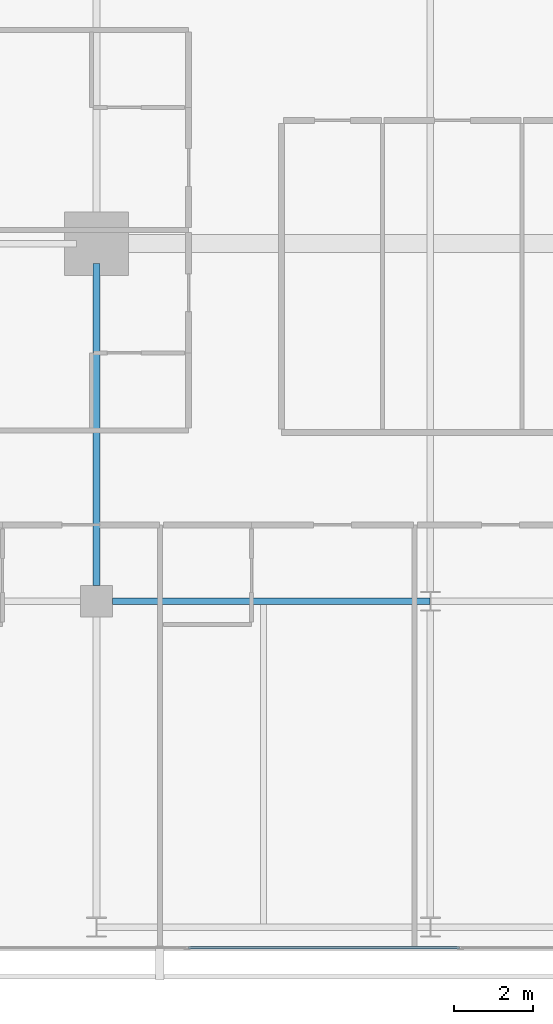
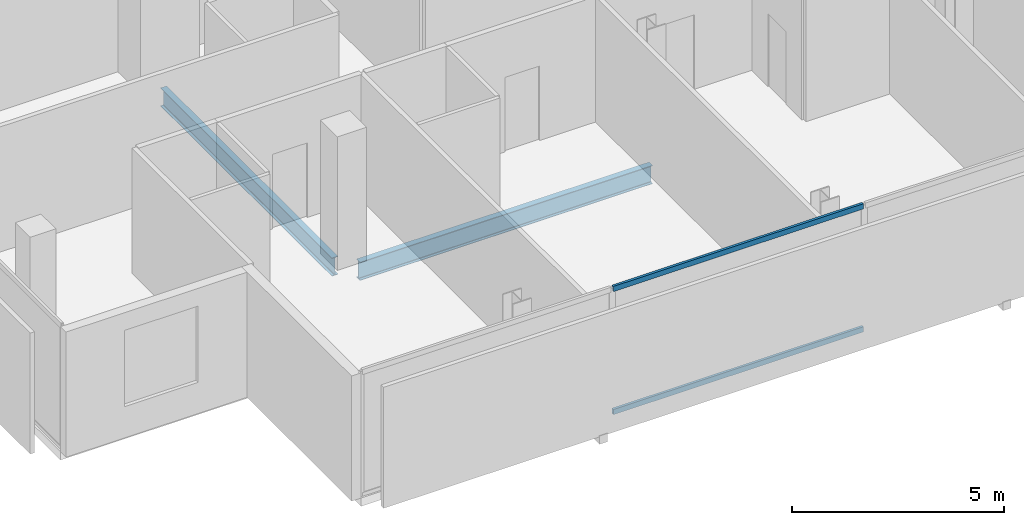
# One storey, part 5 of 26: 2 beams, 2 members, 1 element without a shape of its own.
"""IFC4 building model written with IfcOpenShell, lengths in metres."""

from ifc_helpers import new_model, si_unit, direction, frame, origin, origin_2d, place, context, subcontext, project, spatial, hollow_rectangle, i_section, extrude, material, layer, layer_set, material_profile, profile_set, type_object, element, aggregate, save


model = new_model("IFC4")

# Units and contexts
model_context = context("Model", 3, precision=1e-05, world=origin(), true_north=direction((0.0, 1.0)))
body_context = subcontext(model_context, "Body", "Model", "MODEL_VIEW")
ifc_project = project(units=[si_unit("LENGTHUNIT", "METRE"), si_unit("AREAUNIT", "SQUARE_METRE"), si_unit("VOLUMEUNIT", "CUBIC_METRE"), si_unit("PLANEANGLEUNIT", "RADIAN"), si_unit("MASSUNIT", "GRAM", prefix="KILO")], contexts=[model_context])

# Site, building, storey
site_placement = place(None, origin())
site = spatial("IfcSite", under=ifc_project, at=site_placement, CompositionType="ELEMENT")
building_placement = place(site_placement, origin())
building = spatial("IfcBuilding", under=site, at=building_placement, Name="Maruvema Waterfront Hotel and Observation Tower", CompositionType="ELEMENT")
storey_placement = place(building_placement, frame((0.0, 0.0, 293.300048828125)))
storey = spatial("IfcBuildingStorey", under=building, at=storey_placement, Name="L72", CompositionType="ELEMENT", Elevation=293.300048828125)

# Curtain wall, members
ifc_material_1 = material(Name="Anodised bronze aluminium and solar-control low-E IGU", Category="aluminium")
ifc_layer = layer(ifc_material_1, 0.159912109375, Name="Zone 3 Champagne Inner Thermal Curtain Wall System CW-04")
ifc_layer_set = layer_set([ifc_layer], Name="Anodised bronze aluminium and solar-control low-E IGU")
curtain_wall_type = type_object("IfcCurtainWallType", Name="Zone 3 Champagne Inner Thermal Curtain Wall System CW-04", PredefinedType="USERDEFINED", material=ifc_layer_set)
curtain_wall_placement = place(storey_placement, origin())
curtain_wall = element("IfcCurtainWall", 1, at=curtain_wall_placement, inside=storey, type_object=curtain_wall_type, Name="L72 Curtain Wall CW-L72-S", ObjectType="UNITISED CURTAIN WALL", PredefinedType="USERDEFINED")
ifc_material_2 = material(Name="Anodised architectural bronze aluminium", Category="aluminium")
ifc_material_profile_1 = material_profile(ifc_material_2, hollow_rectangle(XDim=0.070068359375, YDim=0.14990234375, WallThickness=0.00390625, at=origin_2d()), Name="ALU-T70x150")
ifc_profile_set_1 = profile_set([ifc_material_profile_1], Name="Anodised architectural bronze aluminium")
member_type = type_object("IfcMemberType", Name="Curtain Wall Horizontal Transom ALU-T70x150", PredefinedType="USERDEFINED", material=ifc_profile_set_1)
member_1_placement = place(storey_placement, frame((27.510009765625, 9.280029296875, 0.030029296875), z_axis=(1.0, 0.0, 0.0), x_axis=(0.0, 1.0, 0.0)))
member_1 = element("IfcMember", 2, at=member_1_placement, type_object=member_type, Name="CW-04 transom 2.1", ObjectType="TRANSOM", PredefinedType="USERDEFINED", context=body_context, shape_type="SweptSolid", body=[
    extrude(hollow_rectangle(XDim=0.070068359375, YDim=0.14990234375, WallThickness=0.00390625, at=origin_2d()), origin(), (0.0, 0.0, 1.0), 6.820068359375),
])
member_2_placement = place(storey_placement, frame((27.510009765625, 9.280029296875, 3.579833984375), z_axis=(1.0, 0.0, 0.0), x_axis=(0.0, 1.0, 0.0)))
member_2 = element("IfcMember", 3, at=member_2_placement, type_object=member_type, Name="CW-04 transom 2.2", ObjectType="TRANSOM", PredefinedType="USERDEFINED", context=body_context, shape_type="SweptSolid", body=[
    extrude(hollow_rectangle(XDim=0.070068359375, YDim=0.14990234375, WallThickness=0.00390625, at=origin_2d()), origin(), (0.0, 0.0, 1.0), 6.820068359375),
])
aggregate(curtain_wall, [member_1, member_2])

# Beams
ifc_material_3 = material(Name="Steel ASTM A572 Grade 50", Category="steel")
ifc_material_profile_2 = material_profile(ifc_material_3, i_section(OverallWidth=0.166015625, OverallDepth=0.529052734375, WebThickness=0.009765625, FlangeThickness=0.013671875, FilletRadius=0.014892578125, at=origin_2d()), Name="W530x74.0")
ifc_profile_set_2 = profile_set([ifc_material_profile_2], Name="Steel ASTM A572 Grade 50")
beam_type = type_object("IfcBeamType", Name="Primary Floor Girder W530x74.0", PredefinedType="BEAM", material=ifc_profile_set_2)
beam_1_placement = place(storey_placement, frame((25.60009765625, 18.0, -0.504638671875), z_axis=(1.0, 0.0, 0.0), x_axis=(0.0, 1.0, 0.0)))
element("IfcBeam", 4, at=beam_1_placement, inside=storey, type_object=beam_type, Name="L72 Floor Girder EW-05", PredefinedType="BEAM", context=body_context, shape_type="SweptSolid", body=[
    extrude(i_section(OverallWidth=0.166015625, OverallDepth=0.529052734375, WebThickness=0.009765625, FlangeThickness=0.013671875, FilletRadius=0.014892578125, at=origin_2d()), origin(), (0.0, 0.0, 1.0), 7.989013671875),
])
beam_2_placement = place(storey_placement, frame((25.199951171875, 18.39990234375, -0.504638671875), z_axis=(0.0, 1.0, 0.0), x_axis=(-1.0, 0.0, 0.0)))
element("IfcBeam", 5, at=beam_2_placement, inside=storey, type_object=beam_type, Name="L72 Floor Girder NS-05", PredefinedType="BEAM", context=body_context, shape_type="SweptSolid", body=[
    extrude(i_section(OverallWidth=0.166015625, OverallDepth=0.529052734375, WebThickness=0.009765625, FlangeThickness=0.013671875, FilletRadius=0.014892578125, at=origin_2d()), origin(), (0.0, 0.0, 1.0), 8.10009765625),
])

save(model, "model.ifc")
